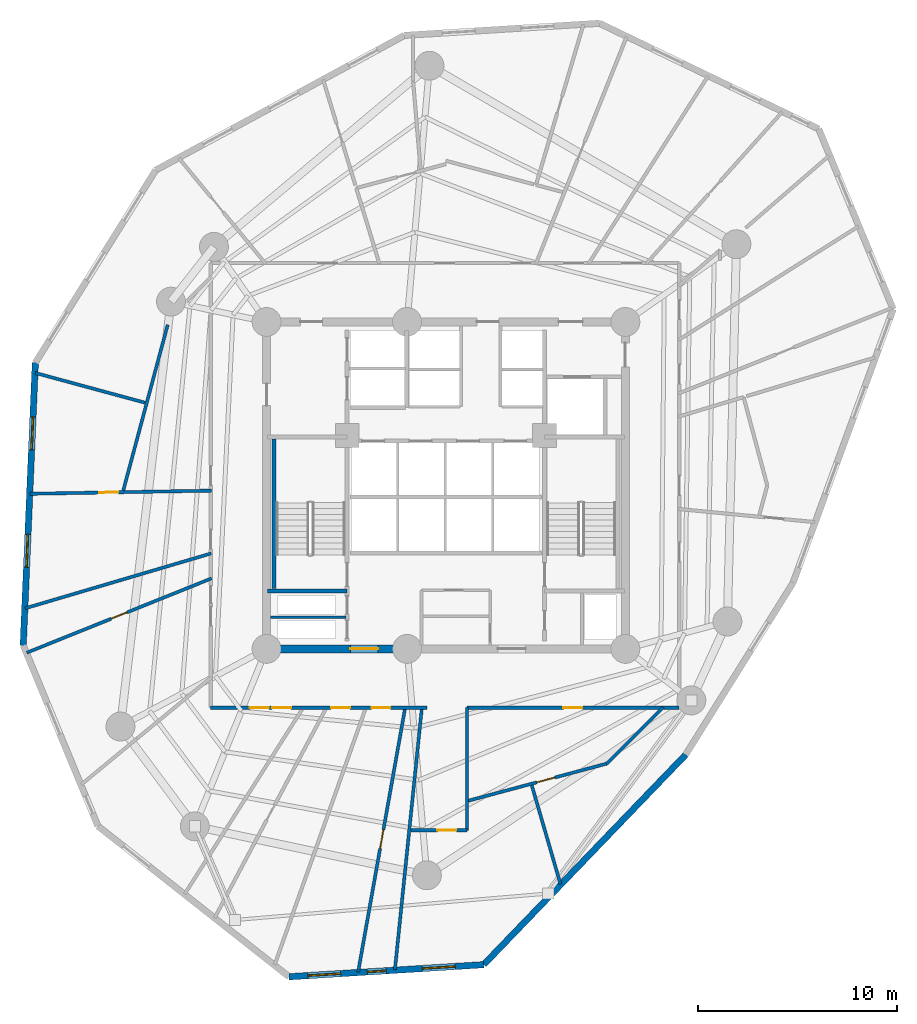
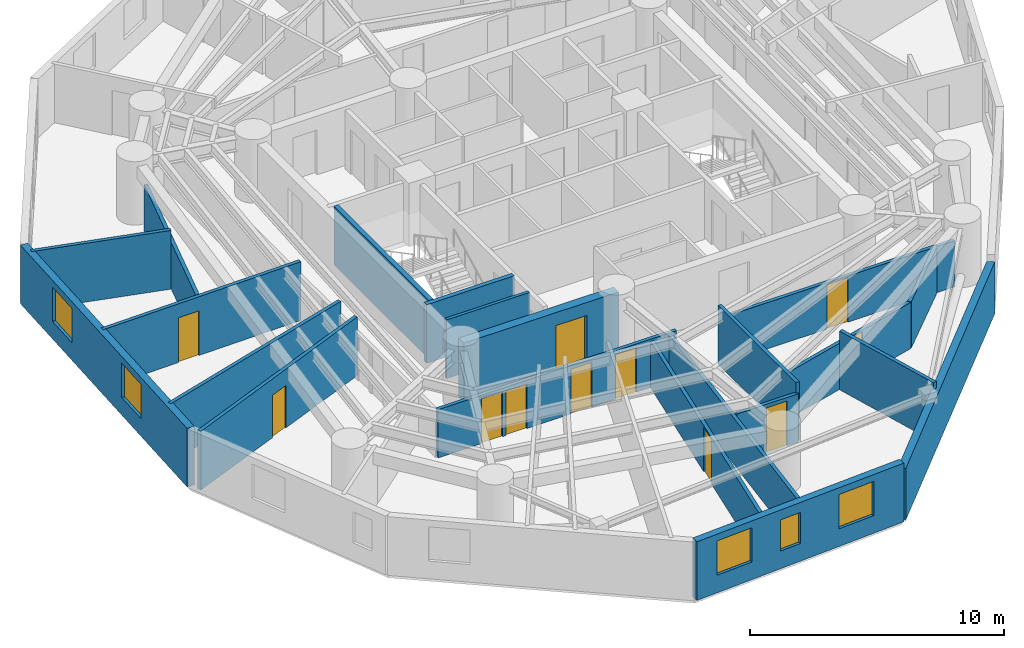
# One storey, part 3 of 8: 21 walls, 11 doors, 5 windows, 16 openings.
"""IFC4 building model written with IfcOpenShell, lengths in metres."""

from ifc_helpers import new_model, si_unit, direction, frame, frame_2d, origin, origin_with_axes, place, context, subcontext, project, spatial, rectangle, extrude, source, transform, mapped, material, layer, layer_set, type_object, element, fill, save


model = new_model("IFC4")

# Units and contexts
model_context = context("Model", 3, precision=1e-05, world=origin(), true_north=direction((0.0, 1.0)))
body_context = subcontext(model_context, "Body", "Model", "MODEL_VIEW")
ifc_project = project(units=[si_unit("LENGTHUNIT", "METRE"), si_unit("AREAUNIT", "SQUARE_METRE"), si_unit("VOLUMEUNIT", "CUBIC_METRE"), si_unit("PLANEANGLEUNIT", "RADIAN"), si_unit("MASSUNIT", "GRAM", prefix="KILO")], contexts=[model_context])

# Site, building, storey
site_placement = place(None, origin())
site = spatial("IfcSite", under=ifc_project, at=site_placement, CompositionType="ELEMENT")
building_placement = place(site_placement, origin())
building = spatial("IfcBuilding", under=site, at=building_placement, Name="Karkom Vertical University and Central Library", CompositionType="ELEMENT")
storey_placement = place(building_placement, frame((0.0, 0.0, 108.39990234375)))
storey = spatial("IfcBuildingStorey", under=building, at=storey_placement, Name="L29", CompositionType="ELEMENT", Elevation=108.39990234375)

# Wall, openings, windows
ifc_material_1 = material(Name="Brick-faced precast concrete C45/55", Category="masonry")
ifc_layer_1 = layer(ifc_material_1, 0.320068359375)
ifc_layer_set_1 = layer_set([ifc_layer_1], Name="Brick-faced precast concrete C45/55")
wall_type_1 = type_object("IfcWallType", Name="ENV-WL-BRK-320", PredefinedType="SOLIDWALL", material=ifc_layer_set_1)
wall_1_placement = place(storey_placement, frame((7.901611328125, 32.66064453125, 0.0), z_axis=(0.0, 0.0, 1.0), x_axis=(-0.042818574022, -0.99908286429, 0.0)))
wall_1 = element("IfcWall", 1, at=wall_1_placement, inside=storey, type_object=wall_type_1, Name="Level 29 Brick-Faced Precast Facade Wall 02", PredefinedType="SOLIDWALL", context=body_context, shape_type="SweptSolid", body=[
    extrude(rectangle(XDim=14.197265625, YDim=0.320068359375, at=frame_2d((7.0986328125, 0.0))), origin(), (0.0, 0.0, 1.0), 2.8251953125),
])
opening_1_placement = place(wall_1_placement, frame((2.731201171875, 0.0, 0.85009765625)))
opening_1 = element("IfcOpeningElement", 2, at=opening_1_placement, cuts=wall_1, Name="Opening WN-06", PredefinedType="OPENING", context=body_context, shape_type="SweptSolid", body=[
    extrude(rectangle(XDim=1.64990234375, YDim=1.64990234375, at=frame_2d((0.824951171875, 0.824951171875))), frame((0.0, 0.169921875, 0.0), z_axis=(0.0, -1.0, 0.0), x_axis=(1.0, 0.0, 0.0)), (0.0, 0.0, 1.0), 0.340087890625),
])
opening_2_placement = place(wall_1_placement, frame((8.62744140625, 0.0, 0.85009765625)))
opening_2 = element("IfcOpeningElement", 3, at=opening_2_placement, cuts=wall_1, Name="Opening WN-06", PredefinedType="OPENING", context=body_context, shape_type="SweptSolid", body=[
    extrude(rectangle(XDim=1.64990234375, YDim=1.64990234375, at=frame_2d((0.824951171875, 0.824951171875))), frame((0.0, 0.169921875, 0.0), z_axis=(0.0, -1.0, 0.0), x_axis=(1.0, 0.0, 0.0)), (0.0, 0.0, 1.0), 0.340087890625),
])
ifc_material_2 = material(Name="Aluminium thermal-break frame with solar-control IGU", Category="aluminium")
window_type_1 = type_object("IfcWindowType", Name="ENV-WIN-WN-06", PartitioningType="SINGLE_PANEL", PredefinedType="WINDOW", material=ifc_material_2)
shared_shape_1 = source(origin_with_axes(), body_context, "Body", "SweptSolid", [
    extrude(rectangle(XDim=1.64990234375, YDim=1.64990234375, at=frame_2d((0.824951171875, 0.824951171875))), frame((0.0, 0.030029296875, 0.0), z_axis=(0.0, -1.0, 0.0), x_axis=(1.0, 0.0, 0.0)), (0.0, 0.0, 1.0), 0.06005859375),
])
window_1_placement = place(opening_1_placement, origin())
window_1 = element("IfcWindow", 4, at=window_1_placement, inside=storey, type_object=window_type_1, Name="Level 29 Punched Window 2.1", OverallHeight=1.64990234375, OverallWidth=1.64990234375, PartitioningType="SINGLE_PANEL", PredefinedType="WINDOW", context=body_context, shape_type="MappedRepresentation", body=[
    mapped(shared_shape_1, transform((0.0, 0.0, 0.0), scale=1.0)),
])
fill(opening_1, window_1)
window_2_placement = place(opening_2_placement, origin())
window_2 = element("IfcWindow", 5, at=window_2_placement, inside=storey, type_object=window_type_1, Name="Level 29 Punched Window 2.2", OverallHeight=1.64990234375, OverallWidth=1.64990234375, PartitioningType="SINGLE_PANEL", PredefinedType="WINDOW", context=body_context, shape_type="MappedRepresentation", body=[
    mapped(shared_shape_1, transform((0.0, 0.0, 0.0), scale=1.0)),
])
fill(opening_2, window_2)

wall_2_placement = place(storey_placement, frame((20.626953125, 1.85009765625, 0.0), z_axis=(0.0, 0.0, 1.0), x_axis=(0.998071847897, 0.062069206828, 0.0)))
wall_2 = element("IfcWall", 6, at=wall_2_placement, inside=storey, type_object=wall_type_1, Name="Level 29 Brick-Faced Precast Facade Wall 05", PredefinedType="SOLIDWALL", context=body_context, shape_type="SweptSolid", body=[
    extrude(rectangle(XDim=9.7861328125, YDim=0.320068359375, at=frame_2d((4.89306640625, 0.0))), origin(), (0.0, 0.0, 1.0), 2.8251953125),
])
opening_3_placement = place(wall_2_placement, frame((0.947509765625, 0.0, 0.85009765625)))
opening_3 = element("IfcOpeningElement", 7, at=opening_3_placement, cuts=wall_2, Name="Opening WN-06", PredefinedType="OPENING", context=body_context, shape_type="SweptSolid", body=[
    extrude(rectangle(XDim=1.64990234375, YDim=1.64990234375, at=frame_2d((0.824951171875, 0.824951171875))), frame((0.0, 0.169921875, 0.0), z_axis=(0.0, -1.0, 0.0), x_axis=(1.0, 0.0, 0.0)), (0.0, 0.0, 1.0), 0.340087890625),
])
opening_4_placement = place(wall_2_placement, frame((3.93310546875, 0.0, 0.85009765625)))
opening_4 = element("IfcOpeningElement", 8, at=opening_4_placement, cuts=wall_2, Name="Opening WN-12", PredefinedType="OPENING", context=body_context, shape_type="SweptSolid", body=[
    extrude(rectangle(XDim=0.949951171875, YDim=1.5, at=frame_2d((0.47509765625, 0.75))), frame((0.0, 0.169921875, 0.0), z_axis=(0.0, -1.0, 0.0), x_axis=(1.0, 0.0, 0.0)), (0.0, 0.0, 1.0), 0.340087890625),
])
opening_5_placement = place(wall_2_placement, frame((6.70361328125, 0.0, 0.85009765625)))
opening_5 = element("IfcOpeningElement", 9, at=opening_5_placement, cuts=wall_2, Name="Opening WN-06", PredefinedType="OPENING", context=body_context, shape_type="SweptSolid", body=[
    extrude(rectangle(XDim=1.64990234375, YDim=1.64990234375, at=frame_2d((0.824951171875, 0.824951171875))), frame((0.0, 0.169921875, 0.0), z_axis=(0.0, -1.0, 0.0), x_axis=(1.0, 0.0, 0.0)), (0.0, 0.0, 1.0), 0.340087890625),
])
window_3_placement = place(opening_3_placement, origin())
window_3 = element("IfcWindow", 10, at=window_3_placement, inside=storey, type_object=window_type_1, Name="Level 29 Punched Window 5.1", OverallHeight=1.64990234375, OverallWidth=1.64990234375, PartitioningType="SINGLE_PANEL", PredefinedType="WINDOW", context=body_context, shape_type="MappedRepresentation", body=[
    mapped(shared_shape_1, transform((0.0, 0.0, 0.0), scale=1.0)),
])
fill(opening_3, window_3)
window_4_placement = place(opening_5_placement, origin())
window_4 = element("IfcWindow", 11, at=window_4_placement, inside=storey, type_object=window_type_1, Name="Level 29 Punched Window 5.3", OverallHeight=1.64990234375, OverallWidth=1.64990234375, PartitioningType="SINGLE_PANEL", PredefinedType="WINDOW", context=body_context, shape_type="MappedRepresentation", body=[
    mapped(shared_shape_1, transform((0.0, 0.0, 0.0), scale=1.0)),
])
fill(opening_5, window_4)
window_type_2 = type_object("IfcWindowType", Name="ENV-WIN-WN-12", PartitioningType="SINGLE_PANEL", PredefinedType="WINDOW", material=ifc_material_2)
shared_shape_2 = source(origin_with_axes(), body_context, "Body", "SweptSolid", [
    extrude(rectangle(XDim=0.949951171875, YDim=1.5, at=frame_2d((0.47509765625, 0.75))), frame((0.0, 0.030029296875, 0.0), z_axis=(0.0, -1.0, 0.0), x_axis=(1.0, 0.0, 0.0)), (0.0, 0.0, 1.0), 0.06005859375),
])
window_5_placement = place(opening_4_placement, origin())
window_5 = element("IfcWindow", 12, at=window_5_placement, inside=storey, type_object=window_type_2, Name="Level 29 Punched Window 5.2", OverallHeight=1.5, OverallWidth=0.949951171875, PartitioningType="SINGLE_PANEL", PredefinedType="WINDOW", context=body_context, shape_type="MappedRepresentation", body=[
    mapped(shared_shape_2, transform((0.0, 0.0, 0.0), scale=1.0)),
])
fill(opening_4, window_5)

# Wall
wall_3_placement = place(storey_placement, frame((30.394287109375, 2.45751953125, 0.0), z_axis=(0.0, 0.0, 1.0), x_axis=(0.693338976518, 0.720611589999, 0.0)))
element("IfcWall", 13, at=wall_3_placement, inside=storey, type_object=wall_type_1, Name="Level 29 Brick-Faced Precast Facade Wall 06", PredefinedType="SOLIDWALL", context=body_context, shape_type="SweptSolid", body=[
    extrude(rectangle(XDim=14.618408203125, YDim=0.320068359375, at=frame_2d((7.30908203125, 0.0))), origin(), (0.0, 0.0, 1.0), 2.4951171875),
])

# Wall, opening, door
ifc_material_3 = material(Name="Insulated metal-stud drywall 160mm", Category="gypsum")
ifc_layer_2 = layer(ifc_material_3, 0.159912109375)
ifc_layer_set_2 = layer_set([ifc_layer_2], Name="Insulated metal-stud drywall 160mm")
wall_type_2 = type_object("IfcWallType", Name="INT-WL-COR-160", PredefinedType="PARTITIONING", material=ifc_layer_set_2)
wall_4_placement = place(storey_placement, frame((26.4599609375, 15.37939453125, 0.0), z_axis=(0.0, 0.0, 1.0), x_axis=(-0.175222721154, -0.984528820295, 0.0)))
wall_4 = element("IfcWall", 14, at=wall_4_placement, inside=storey, type_object=wall_type_2, Name="Level 29 Interior Partition Wall L29-PW-010", PredefinedType="PARTITIONING", context=body_context, shape_type="SweptSolid", body=[
    extrude(rectangle(XDim=13.49560546875, YDim=0.159912109375, at=frame_2d((6.747802734375, 0.0))), origin(), (0.0, 0.0, 1.0), 2.22509765625),
])
opening_6_placement = place(wall_4_placement, frame((6.25537109375, 0.0, 0.0)))
opening_6 = element("IfcOpeningElement", 15, at=opening_6_placement, cuts=wall_4, Name="Opening D-RM1", PredefinedType="OPENING", context=body_context, shape_type="SweptSolid", body=[
    extrude(rectangle(XDim=0.949951171875, YDim=2.14990234375, at=frame_2d((0.47509765625, 1.074951171875))), frame((0.0, 0.08984375, 0.0), z_axis=(0.0, -1.0, 0.0), x_axis=(1.0, 0.0, 0.0)), (0.0, 0.0, 1.0), 0.179931640625),
])
ifc_material_4 = material(Name="Solid-core oak veneer door", Category="wood")
door_type_1 = type_object("IfcDoorType", Name="INT-DR-RM1", OperationType="NOTDEFINED", PredefinedType="DOOR", material=ifc_material_4)
shared_shape_3 = source(origin_with_axes(), body_context, "Body", "SweptSolid", [
    extrude(rectangle(XDim=0.949951171875, YDim=2.14990234375, at=frame_2d((0.47509765625, 1.074951171875))), frame((0.0, 0.02490234375, 0.0), z_axis=(0.0, -1.0, 0.0), x_axis=(1.0, 0.0, 0.0)), (0.0, 0.0, 1.0), 0.050048828125),
])
door_1_placement = place(opening_6_placement, origin())
door_1 = element("IfcDoor", 16, at=door_1_placement, inside=storey, type_object=door_type_1, Name="Level 29 Room Entry Door 070", OperationType="SINGLE_SWING_RIGHT", OverallHeight=2.14990234375, OverallWidth=0.949951171875, PredefinedType="DOOR", context=body_context, shape_type="MappedRepresentation", body=[
    mapped(shared_shape_3, transform((0.0, 0.0, 0.0), scale=1.0)),
])
fill(opening_6, door_1)

# Wall
wall_5_placement = place(storey_placement, frame((27.2958984375, 15.3798828125, 0.0), z_axis=(0.0, 0.0, 1.0), x_axis=(-0.102334320447, -0.994750062508, 0.0)))
element("IfcWall", 17, at=wall_5_placement, inside=storey, type_object=wall_type_2, Name="Level 29 Interior Partition Wall L29-PW-011", PredefinedType="PARTITIONING", context=body_context, shape_type="SweptSolid", body=[
    extrude(rectangle(XDim=13.2431640625, YDim=0.159912109375, at=frame_2d((6.62158203125, 0.0))), origin(), (0.0, 0.0, 1.0), 2.22509765625),
])

# Wall, openings, doors
wall_6_placement = place(storey_placement, frame((27.550048828125, 15.35009765625, 0.0), z_axis=(0.0, 0.0, 1.0), x_axis=(-1.0, 0.0, 0.0)))
wall_6 = element("IfcWall", 18, at=wall_6_placement, inside=storey, type_object=wall_type_2, Name="Level 29 Interior Partition Wall L29-CORW-CW-001", PredefinedType="PARTITIONING", context=body_context, shape_type="SweptSolid", body=[
    extrude(rectangle(XDim=10.85009765625, YDim=0.159912109375, at=frame_2d((5.425048828125, 0.0))), origin(), (0.0, 0.0, 1.0), 2.3251953125),
])
opening_7_placement = place(wall_6_placement, frame((6.8173828125, 0.0, 0.0)))
opening_7 = element("IfcOpeningElement", 19, at=opening_7_placement, cuts=wall_6, Name="Opening D-RM1", PredefinedType="OPENING", context=body_context, shape_type="SweptSolid", body=[
    extrude(rectangle(XDim=0.949951171875, YDim=2.14990234375, at=frame_2d((0.47509765625, 1.074951171875))), frame((0.0, 0.08984375, 0.0), z_axis=(0.0, -1.0, 0.0), x_axis=(1.0, 0.0, 0.0)), (0.0, 0.0, 1.0), 0.179931640625),
])
opening_8_placement = place(wall_6_placement, frame((3.860107421875, 0.0, 0.0)))
opening_8 = element("IfcOpeningElement", 20, at=opening_8_placement, cuts=wall_6, Name="Opening D-RM1", PredefinedType="OPENING", context=body_context, shape_type="SweptSolid", body=[
    extrude(rectangle(XDim=0.949951171875, YDim=2.14990234375, at=frame_2d((0.47509765625, 1.074951171875))), frame((0.0, 0.08984375, 0.0), z_axis=(0.0, -1.0, 0.0), x_axis=(1.0, 0.0, 0.0)), (0.0, 0.0, 1.0), 0.179931640625),
])
opening_9_placement = place(wall_6_placement, frame((1.83251953125, 0.0, 0.0)))
opening_9 = element("IfcOpeningElement", 21, at=opening_9_placement, cuts=wall_6, Name="Opening D-RM1", PredefinedType="OPENING", context=body_context, shape_type="SweptSolid", body=[
    extrude(rectangle(XDim=0.949951171875, YDim=2.14990234375, at=frame_2d((0.47509765625, 1.074951171875))), frame((0.0, 0.08984375, 0.0), z_axis=(0.0, -1.0, 0.0), x_axis=(1.0, 0.0, 0.0)), (0.0, 0.0, 1.0), 0.179931640625),
])
opening_10_placement = place(wall_6_placement, frame((7.927490234375, 0.0, 0.0)))
opening_10 = element("IfcOpeningElement", 22, at=opening_10_placement, cuts=wall_6, Name="Opening FD-RM2", PredefinedType="OPENING", context=body_context, shape_type="SweptSolid", body=[
    extrude(rectangle(XDim=0.9599609375, YDim=2.14990234375, at=frame_2d((0.47998046875, 1.074951171875))), frame((0.0, 0.08984375, 0.0), z_axis=(0.0, -1.0, 0.0), x_axis=(1.0, 0.0, 0.0)), (0.0, 0.0, 1.0), 0.179931640625),
])
ifc_material_5 = material(Name="Fire-rated oak veneer door", Category="wood")
door_type_2 = type_object("IfcDoorType", Name="INT-DR-FRM2", OperationType="NOTDEFINED", PredefinedType="DOOR", material=ifc_material_5)
shared_shape_4 = source(origin_with_axes(), body_context, "Body", "SweptSolid", [
    extrude(rectangle(XDim=0.9599609375, YDim=2.14990234375, at=frame_2d((0.47998046875, 1.074951171875))), frame((0.0, 0.02490234375, 0.0), z_axis=(0.0, -1.0, 0.0), x_axis=(1.0, 0.0, 0.0)), (0.0, 0.0, 1.0), 0.050048828125),
])
door_2_placement = place(opening_10_placement, origin())
door_2 = element("IfcDoor", 23, at=door_2_placement, inside=storey, type_object=door_type_2, Name="Level 29 Room Entry Door 060", OperationType="SINGLE_SWING_LEFT", OverallHeight=2.14990234375, OverallWidth=0.9599609375, PredefinedType="DOOR", context=body_context, shape_type="MappedRepresentation", body=[
    mapped(shared_shape_4, transform((0.0, 0.0, 0.0), scale=1.0)),
])
fill(opening_10, door_2)
door_3_placement = place(opening_7_placement, origin())
door_3 = element("IfcDoor", 24, at=door_3_placement, inside=storey, type_object=door_type_1, Name="Level 29 Room Entry Door 030", OperationType="SINGLE_SWING_RIGHT", OverallHeight=2.14990234375, OverallWidth=0.949951171875, PredefinedType="DOOR", context=body_context, shape_type="MappedRepresentation", body=[
    mapped(shared_shape_3, transform((0.0, 0.0, 0.0), scale=1.0)),
])
fill(opening_7, door_3)
door_4_placement = place(opening_8_placement, origin())
door_4 = element("IfcDoor", 25, at=door_4_placement, inside=storey, type_object=door_type_1, Name="Level 29 Room Entry Door 040", OperationType="SINGLE_SWING_LEFT", OverallHeight=2.14990234375, OverallWidth=0.949951171875, PredefinedType="DOOR", context=body_context, shape_type="MappedRepresentation", body=[
    mapped(shared_shape_3, transform((0.0, 0.0, 0.0), scale=1.0)),
])
fill(opening_8, door_4)
door_5_placement = place(opening_9_placement, origin())
door_5 = element("IfcDoor", 26, at=door_5_placement, inside=storey, type_object=door_type_1, Name="Level 29 Room Entry Door 050", OperationType="SINGLE_SWING_RIGHT", OverallHeight=2.14990234375, OverallWidth=0.949951171875, PredefinedType="DOOR", context=body_context, shape_type="MappedRepresentation", body=[
    mapped(shared_shape_3, transform((0.0, 0.0, 0.0), scale=1.0)),
])
fill(opening_9, door_5)

# Wall, opening, door
wall_7_placement = place(storey_placement, frame((40.199951171875, 15.35009765625, 0.0), z_axis=(0.0, 0.0, 1.0), x_axis=(-1.0, 0.0, 0.0)))
wall_7 = element("IfcWall", 27, at=wall_7_placement, inside=storey, type_object=wall_type_2, Name="Level 29 Interior Partition Wall L29-CORW-CW-005", PredefinedType="PARTITIONING", context=body_context, shape_type="SweptSolid", body=[
    extrude(rectangle(XDim=10.64990234375, YDim=0.159912109375, at=frame_2d((5.324951171875, 0.0))), origin(), (0.0, 0.0, 1.0), 2.22509765625),
])
opening_11_placement = place(wall_7_placement, frame((4.85009765625, 0.0, 0.0)))
opening_11 = element("IfcOpeningElement", 28, at=opening_11_placement, cuts=wall_7, Name="Opening FD-RM2", PredefinedType="OPENING", context=body_context, shape_type="SweptSolid", body=[
    extrude(rectangle(XDim=0.9599609375, YDim=2.14990234375, at=frame_2d((0.47998046875, 1.074951171875))), frame((0.0, 0.08984375, 0.0), z_axis=(0.0, -1.0, 0.0), x_axis=(1.0, 0.0, 0.0)), (0.0, 0.0, 1.0), 0.179931640625),
])
door_6_placement = place(opening_11_placement, origin())
door_6 = element("IfcDoor", 29, at=door_6_placement, inside=storey, type_object=door_type_2, Name="Level 29 Room Entry Door 090", OperationType="SINGLE_SWING_LEFT", OverallHeight=2.14990234375, OverallWidth=0.9599609375, PredefinedType="DOOR", context=body_context, shape_type="MappedRepresentation", body=[
    mapped(shared_shape_4, transform((0.0, 0.0, 0.0), scale=1.0)),
])
fill(opening_11, door_6)

wall_8_placement = place(storey_placement, frame((16.74169921875, 21.835693359375, 0.0), z_axis=(0.0, 0.0, 1.0), x_axis=(-0.92777562182, -0.373138574202, 0.0)))
wall_8 = element("IfcWall", 30, at=wall_8_placement, inside=storey, type_object=wall_type_2, Name="Level 29 Interior Partition Wall L29-PW-004", PredefinedType="PARTITIONING", context=body_context, shape_type="SweptSolid", body=[
    extrude(rectangle(XDim=9.990234375, YDim=0.159912109375, at=frame_2d((4.9951171875, 0.0))), origin(), (0.0, 0.0, 1.0), 2.8251953125),
])
opening_12_placement = place(wall_8_placement, frame((4.565185546875, 0.0, 0.0)))
opening_12 = element("IfcOpeningElement", 31, at=opening_12_placement, cuts=wall_8, Name="Opening FD-BTH2", PredefinedType="OPENING", context=body_context, shape_type="SweptSolid", body=[
    extrude(rectangle(XDim=0.860107421875, YDim=2.0400390625, at=frame_2d((0.43017578125, 1.02001953125))), frame((0.0, 0.08984375, 0.0), z_axis=(0.0, -1.0, 0.0), x_axis=(1.0, 0.0, 0.0)), (0.0, 0.0, 1.0), 0.179931640625),
])
ifc_material_6 = material(Name="Fire-rated moisture-resistant oak door", Category="wood")
door_type_3 = type_object("IfcDoorType", Name="INT-DR-FBTH2", OperationType="NOTDEFINED", PredefinedType="DOOR", material=ifc_material_6)
shared_shape_5 = source(origin_with_axes(), body_context, "Body", "SweptSolid", [
    extrude(rectangle(XDim=0.860107421875, YDim=2.0400390625, at=frame_2d((0.43017578125, 1.02001953125))), frame((0.0, 0.02490234375, 0.0), z_axis=(0.0, -1.0, 0.0), x_axis=(1.0, 0.0, 0.0)), (0.0, 0.0, 1.0), 0.050048828125),
])
door_7_placement = place(opening_12_placement, origin())
door_7 = element("IfcDoor", 32, at=door_7_placement, inside=storey, type_object=door_type_3, Name="Level 29 University Seminar Classroom Entry Door", OperationType="SINGLE_SWING_LEFT", OverallHeight=2.0400390625, OverallWidth=0.860107421875, PredefinedType="DOOR", context=body_context, shape_type="MappedRepresentation", body=[
    mapped(shared_shape_5, transform((0.0, 0.0, 0.0), scale=1.0)),
])
fill(opening_12, door_7)

# Wall
wall_9_placement = place(storey_placement, frame((16.728759765625, 23.089599609375, 0.0), z_axis=(0.0, 0.0, 1.0), x_axis=(-0.959119670242, -0.283000809459, 0.0)))
element("IfcWall", 33, at=wall_9_placement, inside=storey, type_object=wall_type_2, Name="Level 29 Interior Partition Wall L29-PW-001", PredefinedType="PARTITIONING", context=body_context, shape_type="SweptSolid", body=[
    extrude(rectangle(XDim=9.72412109375, YDim=0.159912109375, at=frame_2d((4.862060546875, 0.0))), origin(), (0.0, 0.0, 1.0), 2.8251953125),
])

# Wall, opening, door
wall_10_placement = place(storey_placement, frame((7.644775390625, 26.080078125, 0.0), z_axis=(0.0, 0.0, 1.0), x_axis=(0.99985078612, 0.017274417338, 0.0)))
wall_10 = element("IfcWall", 34, at=wall_10_placement, inside=storey, type_object=wall_type_2, Name="Level 29 Interior Partition Wall L29-PW-002", PredefinedType="PARTITIONING", context=body_context, shape_type="SweptSolid", body=[
    extrude(rectangle(XDim=9.101806640625, YDim=0.159912109375, at=frame_2d((4.55078125, 0.0))), origin(), (0.0, 0.0, 1.0), 2.8251953125),
])
opening_13_placement = place(wall_10_placement, frame((3.460693359375, 0.0, 0.0)))
opening_13 = element("IfcOpeningElement", 35, at=opening_13_placement, cuts=wall_10, Name="Opening FD-RM2", PredefinedType="OPENING", context=body_context, shape_type="SweptSolid", body=[
    extrude(rectangle(XDim=0.9599609375, YDim=2.14990234375, at=frame_2d((0.47998046875, 1.074951171875))), frame((0.0, 0.08984375, 0.0), z_axis=(0.0, -1.0, 0.0), x_axis=(1.0, 0.0, 0.0)), (0.0, 0.0, 1.0), 0.179931640625),
])
door_8_placement = place(opening_13_placement, origin())
door_8 = element("IfcDoor", 36, at=door_8_placement, inside=storey, type_object=door_type_2, Name="Level 29 Room Entry Door 270", OperationType="SINGLE_SWING_RIGHT", OverallHeight=2.14990234375, OverallWidth=0.9599609375, PredefinedType="DOOR", context=body_context, shape_type="MappedRepresentation", body=[
    mapped(shared_shape_4, transform((0.0, 0.0, 0.0), scale=1.0)),
])
fill(opening_13, door_8)

# Wall
wall_11_placement = place(storey_placement, frame((12.315185546875, 26.24755859375, 0.0), z_axis=(0.0, 0.0, 1.0), x_axis=(0.258831582797, 0.965922466737, 0.0)))
element("IfcWall", 37, at=wall_11_placement, inside=storey, type_object=wall_type_2, Name="Level 29 Interior Partition Wall L29-PW-044", PredefinedType="PARTITIONING", context=body_context, shape_type="SweptSolid", body=[
    extrude(rectangle(XDim=8.604248046875, YDim=0.159912109375, at=frame_2d((4.30224609375, 0.0))), origin(), (0.0, 0.0, 1.0), 2.22509765625),
])

# Wall, opening, door
wall_12_placement = place(storey_placement, frame((36.55859375, 12.542236328125, 0.0), z_axis=(0.0, 0.0, 1.0), x_axis=(-0.965925017223, -0.258822064561, 0.0)))
wall_12 = element("IfcWall", 38, at=wall_12_placement, inside=storey, type_object=wall_type_2, Name="Level 29 Interior Partition Wall L29-PW-015", PredefinedType="PARTITIONING", context=body_context, shape_type="SweptSolid", body=[
    extrude(rectangle(XDim=7.285888671875, YDim=0.159912109375, at=frame_2d((3.64306640625, 0.0))), origin(), (0.0, 0.0, 1.0), 2.22509765625),
])
opening_14_placement = place(wall_12_placement, frame((2.677978515625, 0.0, 0.0)))
opening_14 = element("IfcOpeningElement", 39, at=opening_14_placement, cuts=wall_12, Name="Opening D-RM1", PredefinedType="OPENING", context=body_context, shape_type="SweptSolid", body=[
    extrude(rectangle(XDim=0.949951171875, YDim=2.14990234375, at=frame_2d((0.47509765625, 1.074951171875))), frame((0.0, 0.08984375, 0.0), z_axis=(0.0, -1.0, 0.0), x_axis=(1.0, 0.0, 0.0)), (0.0, 0.0, 1.0), 0.179931640625),
])
door_9_placement = place(opening_14_placement, origin())
door_9 = element("IfcDoor", 40, at=door_9_placement, inside=storey, type_object=door_type_1, Name="Level 29 Room Entry Door 100", OperationType="SINGLE_SWING_LEFT", OverallHeight=2.14990234375, OverallWidth=0.949951171875, PredefinedType="DOOR", context=body_context, shape_type="MappedRepresentation", body=[
    mapped(shared_shape_3, transform((0.0, 0.0, 0.0), scale=1.0)),
])
fill(opening_14, door_9)

# Walls
wall_13_placement = place(storey_placement, frame((29.550048828125, 15.35009765625, 0.0), z_axis=(0.0, 0.0, 1.0), x_axis=(0.0, -1.0, 0.0)))
element("IfcWall", 41, at=wall_13_placement, inside=storey, type_object=wall_type_2, Name="Level 29 Interior Partition Wall L29-CORW-CW-006", PredefinedType="PARTITIONING", context=body_context, shape_type="SweptSolid", body=[
    extrude(rectangle(XDim=6.150146484375, YDim=0.159912109375, at=frame_2d((3.0751953125, 0.0))), origin(), (0.0, 0.0, 1.0), 2.8251953125),
])
wall_14_placement = place(storey_placement, frame((13.40478515625, 30.649658203125, 0.0), z_axis=(0.0, 0.0, 1.0), x_axis=(-0.965245741138, 0.261343948113, 0.0)))
element("IfcWall", 42, at=wall_14_placement, inside=storey, type_object=wall_type_2, Name="Level 29 Interior Partition Wall L29-PW-042", PredefinedType="PARTITIONING", context=body_context, shape_type="SweptSolid", body=[
    extrude(rectangle(XDim=5.697509765625, YDim=0.159912109375, at=frame_2d((2.8486328125, 0.0))), origin(), (0.0, 0.0, 1.0), 2.8251953125),
])
wall_15_placement = place(storey_placement, frame((32.80859375, 11.447265625, 0.0), z_axis=(0.0, 0.0, 1.0), x_axis=(0.278835602096, -0.960338850096, 0.0)))
element("IfcWall", 43, at=wall_15_placement, inside=storey, type_object=wall_type_2, Name="Level 29 Interior Partition Wall L29-PW-013", PredefinedType="PARTITIONING", context=body_context, shape_type="SweptSolid", body=[
    extrude(rectangle(XDim=5.145751953125, YDim=0.159912109375, at=frame_2d((2.57275390625, 0.0))), origin(), (0.0, 0.0, 1.0), 2.8251953125),
])
wall_16_placement = place(storey_placement, frame((39.3876953125, 15.37109375, 0.0), z_axis=(0.0, 0.0, 1.0), x_axis=(-0.707137292148, -0.707076268909, 0.0)))
element("IfcWall", 44, at=wall_16_placement, inside=storey, type_object=wall_type_2, Name="Level 29 Interior Partition Wall L29-PW-014", PredefinedType="PARTITIONING", context=body_context, shape_type="SweptSolid", body=[
    extrude(rectangle(XDim=4.000732421875, YDim=0.159912109375, at=frame_2d((2.00048828125, 0.0))), origin(), (0.0, 0.0, 1.0), 2.22509765625),
])

# Wall, opening, door
wall_17_placement = place(storey_placement, frame((29.550048828125, 9.199951171875, 0.0), z_axis=(0.0, 0.0, 1.0), x_axis=(-1.0, 0.0, 0.0)))
wall_17 = element("IfcWall", 45, at=wall_17_placement, inside=storey, type_object=wall_type_2, Name="Level 29 Interior Partition Wall L29-CORW-CW-007", PredefinedType="PARTITIONING", context=body_context, shape_type="SweptSolid", body=[
    extrude(rectangle(XDim=2.802490234375, YDim=0.159912109375, at=frame_2d((1.4013671875, 0.0))), origin(), (0.0, 0.0, 1.0), 2.3251953125),
])
opening_15_placement = place(wall_17_placement, frame((0.52490234375, 0.0, 0.0)))
opening_15 = element("IfcOpeningElement", 46, at=opening_15_placement, cuts=wall_17, Name="Opening D-RM1", PredefinedType="OPENING", context=body_context, shape_type="SweptSolid", body=[
    extrude(rectangle(XDim=0.949951171875, YDim=2.14990234375, at=frame_2d((0.47509765625, 1.074951171875))), frame((0.0, 0.08984375, 0.0), z_axis=(0.0, -1.0, 0.0), x_axis=(1.0, 0.0, 0.0)), (0.0, 0.0, 1.0), 0.179931640625),
])
door_10_placement = place(opening_15_placement, origin())
door_10 = element("IfcDoor", 47, at=door_10_placement, inside=storey, type_object=door_type_1, Name="Level 29 Room Entry Door 080", OperationType="SINGLE_SWING_RIGHT", OverallHeight=2.14990234375, OverallWidth=0.949951171875, PredefinedType="DOOR", context=body_context, shape_type="MappedRepresentation", body=[
    mapped(shared_shape_3, transform((0.0, 0.0, 0.0), scale=1.0)),
])
fill(opening_15, door_10)

# Wall
ifc_material_7 = material(Name="Metal-stud gypsum partition 140mm", Category="gypsum")
ifc_layer_3 = layer(ifc_material_7, 0.139892578125)
ifc_layer_set_3 = layer_set([ifc_layer_3], Name="Metal-stud gypsum partition 140mm")
wall_type_3 = type_object("IfcWallType", Name="INT-WL-SUB-140H", PredefinedType="PARTITIONING", material=ifc_layer_set_3)
wall_18_placement = place(storey_placement, frame((19.70703125, 19.889892578125, 0.0), z_axis=(0.0, 0.0, 1.0), x_axis=(1.0, 0.0, 0.0)))
element("IfcWall", 48, at=wall_18_placement, inside=storey, type_object=wall_type_3, Name="Level 29 Interior Partition Wall L29-CW-RIS-W", PredefinedType="PARTITIONING", context=body_context, shape_type="SweptSolid", body=[
    extrude(rectangle(XDim=3.789794921875, YDim=0.139892578125, at=frame_2d((1.89501953125, 0.0))), origin(), (0.0, 0.0, 1.0), 2.8251953125),
])

# Wall, opening, door
ifc_material_8 = material(Name="Concrete C50/60", Category="concrete")
ifc_layer_4 = layer(ifc_material_8, 0.39990234375)
ifc_layer_set_4 = layer_set([ifc_layer_4], Name="Concrete C50/60")
wall_type_4 = type_object("IfcWallType", Name="STR-WL-CW-400", PredefinedType="SHEAR", material=ifc_layer_set_4)
wall_19_placement = place(storey_placement, frame((19.5, 18.300048828125, 0.0), z_axis=(0.0, 0.0, 1.0), x_axis=(1.0, 0.0, 0.0)))
wall_19 = element("IfcWall", 49, at=wall_19_placement, inside=storey, type_object=wall_type_4, Name="Level 29 Central Core Shear Wall SW1", PredefinedType="SHEAR", context=body_context, shape_type="SweptSolid", body=[
    extrude(rectangle(XDim=7.050048828125, YDim=0.39990234375, at=frame_2d((3.52490234375, 0.0))), origin(), (0.0, 0.0, 1.0), 2.8251953125),
])
opening_16_placement = place(wall_19_placement, frame((4.199951171875, 0.0, 0.0)))
opening_16 = element("IfcOpeningElement", 50, at=opening_16_placement, cuts=wall_19, Name="Opening FD-CLB", PredefinedType="OPENING", context=body_context, shape_type="SweptSolid", body=[
    extrude(rectangle(XDim=1.39990234375, YDim=2.199951171875, at=frame_2d((0.699951171875, 1.10009765625))), frame((0.0, 0.2099609375, 0.0), z_axis=(0.0, -1.0, 0.0), x_axis=(1.0, 0.0, 0.0)), (0.0, 0.0, 1.0), 0.419921875),
])
ifc_material_9 = material(Name="Painted steel fire door", Category="steel")
door_type_4 = type_object("IfcDoorType", Name="INT-DR-CLB", OperationType="DOUBLE_DOOR_SINGLE_SWING", PredefinedType="DOOR", material=ifc_material_9)
shared_shape_6 = source(origin_with_axes(), body_context, "Body", "SweptSolid", [
    extrude(rectangle(XDim=1.39990234375, YDim=2.199951171875, at=frame_2d((0.699951171875, 1.10009765625))), frame((0.0, 0.02490234375, 0.0), z_axis=(0.0, -1.0, 0.0), x_axis=(1.0, 0.0, 0.0)), (0.0, 0.0, 1.0), 0.050048828125),
])
door_11_placement = place(opening_16_placement, origin())
door_11 = element("IfcDoor", 51, at=door_11_placement, inside=storey, type_object=door_type_4, Name="Level 29 South Core Lobby West Exit Door", OperationType="DOUBLE_DOOR_SINGLE_SWING", OverallHeight=2.199951171875, OverallWidth=1.39990234375, PredefinedType="DOOR", context=body_context, shape_type="MappedRepresentation", body=[
    mapped(shared_shape_6, transform((0.0, 0.0, 0.0), scale=1.0)),
])
fill(opening_16, door_11)

# Walls
ifc_material_10 = material(Name="Concrete C45/55", Category="concrete")
ifc_layer_5 = layer(ifc_material_10, 0.199951171875)
ifc_layer_set_5 = layer_set([ifc_layer_5], Name="Concrete C45/55")
wall_type_5 = type_object("IfcWallType", Name="STR-WL-ST-200", PredefinedType="SHEAR", material=ifc_layer_set_5)
wall_20_placement = place(storey_placement, frame((19.875, 21.320068359375, 0.0), z_axis=(0.0, 0.0, 1.0), x_axis=(0.0, 1.0, 0.0)))
element("IfcWall", 52, at=wall_20_placement, inside=storey, type_object=wall_type_5, Name="Level 29 Core Shaft Wall L29-CW-ST1-W", PredefinedType="SHEAR", context=body_context, shape_type="SweptSolid", body=[
    extrude(rectangle(XDim=7.5, YDim=0.199951171875, at=frame_2d((3.75, 0.0))), origin(), (0.0, 0.0, 1.0), 2.8251953125),
])
wall_21_placement = place(storey_placement, frame((19.550048828125, 21.215087890625, 0.0), z_axis=(0.0, 0.0, 1.0), x_axis=(1.0, 0.0, 0.0)))
element("IfcWall", 53, at=wall_21_placement, inside=storey, type_object=wall_type_5, Name="Level 29 Core Shaft Wall L29-CW-ST1-S", PredefinedType="SHEAR", context=body_context, shape_type="SweptSolid", body=[
    extrude(rectangle(XDim=3.994873046875, YDim=0.199951171875, at=frame_2d((1.99755859375, 0.0))), origin(), (0.0, 0.0, 1.0), 2.8251953125),
])

save(model, "model.ifc")
